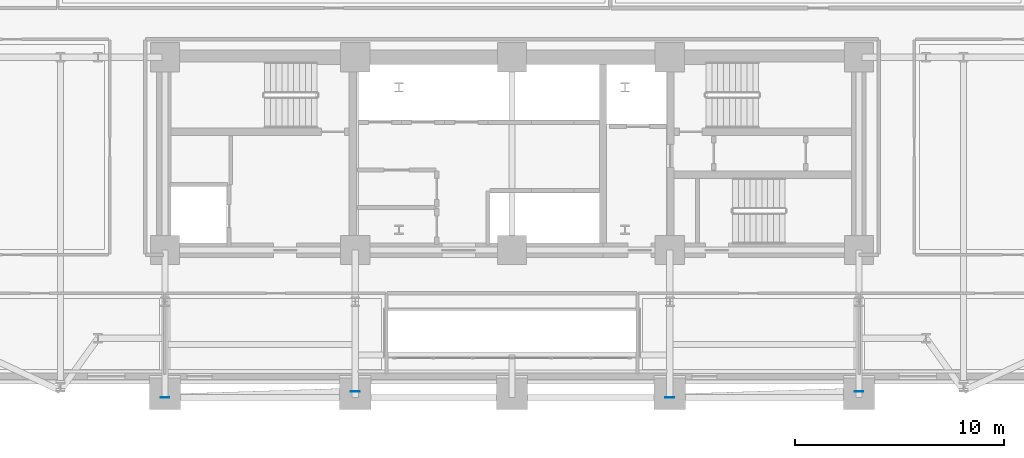
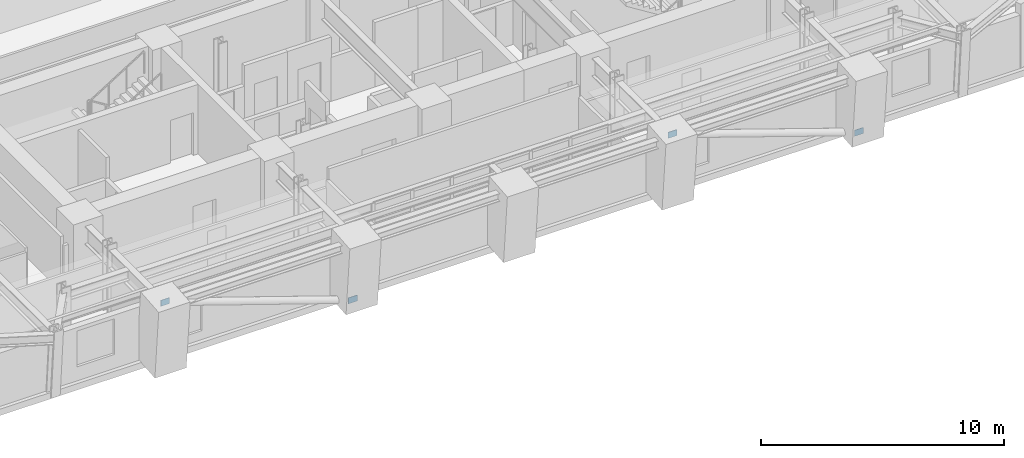
# One storey, part 7 of 15: 4 plates.
"""IFC4 building model written with IfcOpenShell, lengths in metres."""

from ifc_helpers import new_model, si_unit, direction, frame, origin, origin_2d, place, context, subcontext, project, spatial, rectangle, extrude, material, layer, layer_set, type_object, element, save


model = new_model("IFC4")

# Units and contexts
model_context = context("Model", 3, precision=1e-05, world=origin(), true_north=direction((0.0, 1.0)))
body_context = subcontext(model_context, "Body", "Model", "MODEL_VIEW")
ifc_project = project(units=[si_unit("LENGTHUNIT", "METRE"), si_unit("AREAUNIT", "SQUARE_METRE"), si_unit("VOLUMEUNIT", "CUBIC_METRE"), si_unit("PLANEANGLEUNIT", "RADIAN"), si_unit("MASSUNIT", "GRAM", prefix="KILO")], contexts=[model_context])

# Site, building, storey
site_placement = place(None, origin())
site = spatial("IfcSite", under=ifc_project, at=site_placement, CompositionType="ELEMENT")
building_placement = place(site_placement, origin())
building = spatial("IfcBuilding", under=site, at=building_placement, Name="Zarnavel Station Tower", CompositionType="ELEMENT")
storey_placement = place(building_placement, frame((0.0, 0.0, 57.0)))
storey = spatial("IfcBuildingStorey", under=building, at=storey_placement, Name="L15", CompositionType="ELEMENT", Elevation=57.0)

# Plates
ifc_material = material(Name="Steel S460M", Category="steel")
ifc_layer = layer(ifc_material, 0.02490234375)
ifc_layer_set = layer_set([ifc_layer], Name="GP_GUSSET_25")
plate_type = type_object("IfcPlateType", Name="GP_GUSSET_25", PredefinedType="USERDEFINED", material=ifc_layer_set)
for number, where, z_axis, x_axis, name in (
    (1, (21.300048828125, 21.0625, -0.14990234375), (0.0, 0.0, 1.0), (1.0, 0.0, 0.0), "L15 Exterior Diagonal Brace End Gusset 1-1"),
    (2, (12.199951171875, 20.76904296875, 3.08984375), (0.0, 0.0, 1.0), (1.0, 0.0, 0.0), "L15 Exterior Diagonal Brace End Gusset 1-2"),
    (3, (45.39990234375, 21.0625, -0.14990234375), (0.0, 0.0, 1.0), (1.0, 0.0, 0.0), "L15 Exterior Diagonal Brace End Gusset 2-1"),
    (4, (36.35009765625, 20.76904296875, 3.08984375), (0.0, 0.0, 1.0), (1.0, 0.0, 0.0), "L15 Exterior Diagonal Brace End Gusset 2-2"),
):
    element("IfcPlate", number, at=place(storey_placement, frame(where, z_axis=z_axis, x_axis=x_axis)), inside=storey, type_object=plate_type, Name=name, ObjectType="GUSSET_PLATE", PredefinedType="USERDEFINED", context=body_context, shape_type="SweptSolid", body=[
        extrude(rectangle(XDim=0.419921875, YDim=0.02490234375, at=origin_2d()), origin(), (0.0, 0.0, 1.0), 0.300048828125),
    ])

save(model, "model.ifc")
